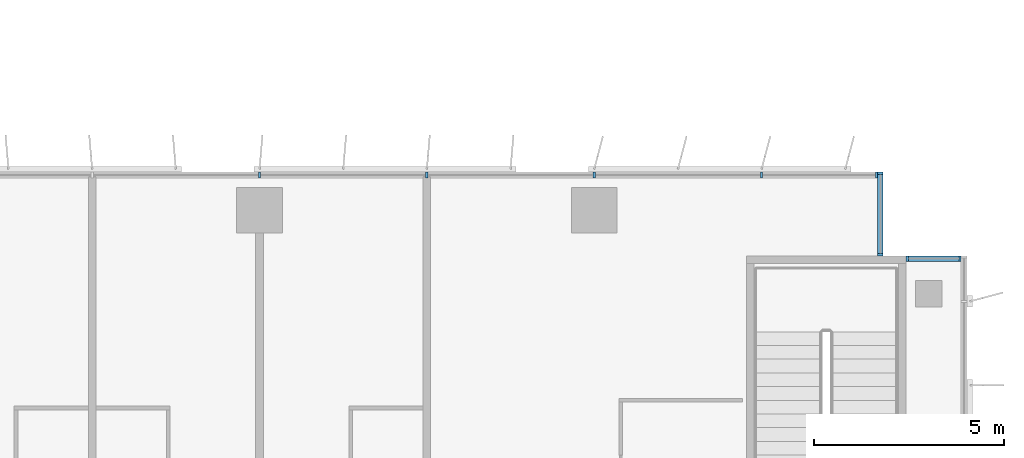
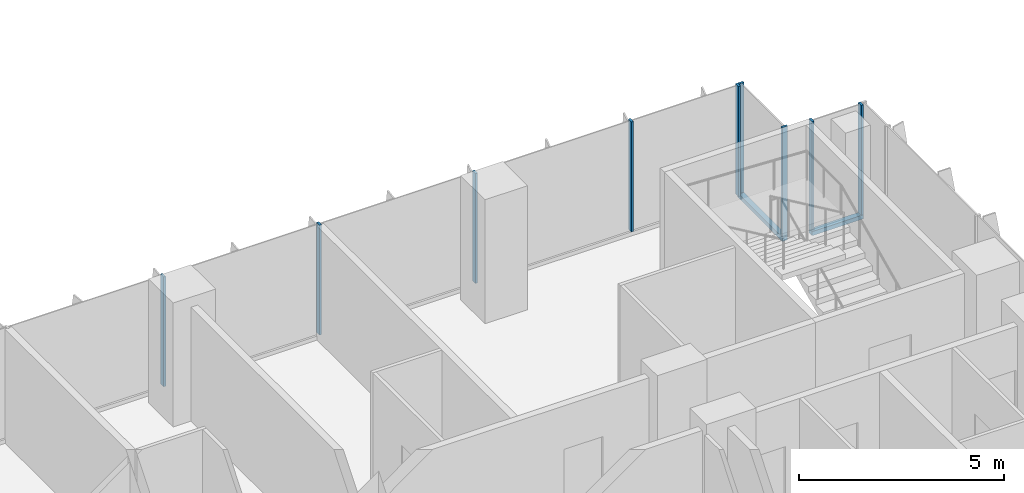
# One storey, part 4 of 23: 11 members, 3 elements without a shape of their own.
"""IFC4 building model written with IfcOpenShell, lengths in metres."""

from ifc_helpers import new_model, si_unit, direction, frame, origin, origin_2d, place, context, subcontext, project, spatial, rectangle, extrude, source, transform, mapped, material, material_profile, profile_set, type_object, element, aggregate, save


model = new_model("IFC4")

# Units and contexts
model_context = context("Model", 3, precision=1e-05, world=origin(), true_north=direction((0.0, 1.0)))
body_context = subcontext(model_context, "Body", "Model", "MODEL_VIEW")
ifc_project = project(units=[si_unit("LENGTHUNIT", "METRE"), si_unit("AREAUNIT", "SQUARE_METRE"), si_unit("VOLUMEUNIT", "CUBIC_METRE"), si_unit("PLANEANGLEUNIT", "RADIAN"), si_unit("MASSUNIT", "GRAM", prefix="KILO")], contexts=[model_context])

# Site, building, storey
site_placement = place(None, origin())
site = spatial("IfcSite", under=ifc_project, at=site_placement, CompositionType="ELEMENT")
building_placement = place(site_placement, origin())
building = spatial("IfcBuilding", under=site, at=building_placement, Name="Kemantara Hotel Tower", CompositionType="ELEMENT")
storey_placement = place(building_placement, frame((0.0, 0.0, 138.300048828125)))
storey = spatial("IfcBuildingStorey", under=building, at=storey_placement, Name="L33", CompositionType="ELEMENT", Elevation=138.300048828125)

# Curtain wall, member
ifc_material_1 = material(Name="Low-E tinted double insulated glass 36 mm", Category="glass")
curtain_wall_type = type_object("IfcCurtainWallType", Name="TOWER CURTAIN WALL, FRONT FACES", PredefinedType="USERDEFINED", material=ifc_material_1)
curtain_wall_1_placement = place(storey_placement, origin())
curtain_wall_1 = element("IfcCurtainWall", 1, at=curtain_wall_1_placement, inside=storey, type_object=curtain_wall_type, Name="CW4 L33 T2-R11-1", ObjectType="TOWER CURTAIN WALL, FRONT FACES", PredefinedType="USERDEFINED")
ifc_material_2 = material(Name="Aluminium 6063-T6 bronze anodised", Category="aluminium")
ifc_material_profile_1 = material_profile(ifc_material_2, rectangle(XDim=0.14990234375, YDim=0.1201171875, at=origin_2d()), Name="TOWER CURTAIN WALL, FRONT FACES TRANSOM")
ifc_profile_set_1 = profile_set([ifc_material_profile_1], Name="Aluminium 6063-T6 bronze anodised")
member_type_1 = type_object("IfcMemberType", Name="TOWER CURTAIN WALL, FRONT FACES TRANSOM", PredefinedType="USERDEFINED", material=ifc_profile_set_1)
member_1_placement = place(storey_placement, frame((63.449951171875, 19.72509765625, 0.06005859375), z_axis=(-1.0, 0.0, 0.0), x_axis=(0.0, -1.0, 0.0)))
member_1 = element("IfcMember", 2, at=member_1_placement, type_object=member_type_1, Name="CW4 sill transom T2-R11-1", ObjectType="TRANSOM", PredefinedType="USERDEFINED", context=body_context, shape_type="SweptSolid", body=[
    extrude(rectangle(XDim=0.14990234375, YDim=0.1201171875, at=origin_2d()), origin(), (0.0, 0.0, 1.0), 1.449951171875),
])

curtain_wall_2_placement = place(storey_placement, origin())
curtain_wall_2 = element("IfcCurtainWall", 3, at=curtain_wall_2_placement, inside=storey, type_object=curtain_wall_type, Name="CW4 L33 T2-R12-1", ObjectType="TOWER CURTAIN WALL, FRONT FACES", PredefinedType="USERDEFINED")
member_2_placement = place(storey_placement, frame((61.324951171875, 19.800048828125, 0.06005859375), z_axis=(0.0, 1.0, 0.0), x_axis=(-1.0, 0.0, 0.0)))
member_2 = element("IfcMember", 4, at=member_2_placement, type_object=member_type_1, Name="CW4 sill transom T2-R12-1", ObjectType="TRANSOM", PredefinedType="USERDEFINED", context=body_context, shape_type="SweptSolid", body=[
    extrude(rectangle(XDim=0.14990234375, YDim=0.1201171875, at=origin_2d()), origin(), (0.0, 0.0, 1.0), 2.199951171875),
])

# Curtain wall, members
curtain_wall_3_placement = place(storey_placement, origin())
curtain_wall_3 = element("IfcCurtainWall", 5, at=curtain_wall_3_placement, inside=storey, type_object=curtain_wall_type, Name="CW4 L33 T2-R13-1", ObjectType="TOWER CURTAIN WALL, FRONT FACES", PredefinedType="USERDEFINED")
ifc_material_profile_2 = material_profile(ifc_material_2, rectangle(XDim=0.14990234375, YDim=0.06005859375, at=origin_2d()), Name="TOWER CURTAIN WALL, FRONT FACES MULLION")
ifc_profile_set_2 = profile_set([ifc_material_profile_2], Name="Aluminium 6063-T6 bronze anodised")
member_type_2 = type_object("IfcMemberType", Name="TOWER CURTAIN WALL, FRONT FACES MULLION", PredefinedType="MULLION", material=ifc_profile_set_2)
shared_shape = source(origin(), body_context, "Body", "SweptSolid", [
    extrude(rectangle(XDim=0.14990234375, YDim=0.06005859375, at=origin_2d()), origin(), (0.0, 0.0, 1.0), 3.280029296875),
])
member_3_placement = place(storey_placement, frame((61.219970703125, 21.925048828125, 0.119873046875), z_axis=(0.0, 0.0, 1.0), x_axis=(0.0, -1.0, 0.0)))
member_3 = element("IfcMember", 6, at=member_3_placement, type_object=member_type_2, Name="CW4 mullion T2-R13-1.1", PredefinedType="MULLION", context=body_context, shape_type="MappedRepresentation", body=[
    mapped(shared_shape, transform((0.0, 0.0, 0.0))),
])
member_4_placement = place(storey_placement, frame((58.199951171875, 21.925048828125, 0.119873046875), z_axis=(0.0, 0.0, 1.0), x_axis=(0.0, -1.0, 0.0)))
member_4 = element("IfcMember", 7, at=member_4_placement, type_object=member_type_2, Name="CW4 mullion T2-R13-1.2", PredefinedType="MULLION", context=body_context, shape_type="MappedRepresentation", body=[
    mapped(shared_shape, transform((0.0, 0.0, 0.0))),
])
member_5_placement = place(storey_placement, frame((53.800048828125, 21.925048828125, 0.119873046875), z_axis=(0.0, 0.0, 1.0), x_axis=(0.0, -1.0, 0.0)))
member_5 = element("IfcMember", 8, at=member_5_placement, type_object=member_type_2, Name="CW4 mullion T2-R13-1.3", PredefinedType="MULLION", context=body_context, shape_type="MappedRepresentation", body=[
    mapped(shared_shape, transform((0.0, 0.0, 0.0))),
])
member_6_placement = place(storey_placement, frame((49.39990234375, 21.925048828125, 0.119873046875), z_axis=(0.0, 0.0, 1.0), x_axis=(0.0, -1.0, 0.0)))
member_6 = element("IfcMember", 9, at=member_6_placement, type_object=member_type_2, Name="CW4 mullion T2-R13-1.4", PredefinedType="MULLION", context=body_context, shape_type="MappedRepresentation", body=[
    mapped(shared_shape, transform((0.0, 0.0, 0.0))),
])
member_7_placement = place(storey_placement, frame((45.0, 21.925048828125, 0.119873046875), z_axis=(0.0, 0.0, 1.0), x_axis=(0.0, -1.0, 0.0)))
member_7 = element("IfcMember", 10, at=member_7_placement, type_object=member_type_2, Name="CW4 mullion T2-R13-1.5", PredefinedType="MULLION", context=body_context, shape_type="MappedRepresentation", body=[
    mapped(shared_shape, transform((0.0, 0.0, 0.0))),
])
aggregate(curtain_wall_3, [member_3, member_4, member_5, member_6, member_7])

# Member
member_8_placement = place(storey_placement, frame((63.419921875, 19.72509765625, 0.119873046875), z_axis=(0.0, 0.0, 1.0), x_axis=(0.0, -1.0, 0.0)))
member_8 = element("IfcMember", 11, at=member_8_placement, type_object=member_type_2, Name="CW4 mullion T2-R11-1.1", PredefinedType="MULLION", context=body_context, shape_type="MappedRepresentation", body=[
    mapped(shared_shape, transform((0.0, 0.0, 0.0))),
])

member_9_placement = place(storey_placement, frame((62.030029296875, 19.72509765625, 0.119873046875), z_axis=(0.0, 0.0, 1.0), x_axis=(0.0, -1.0, 0.0)))
member_9 = element("IfcMember", 12, at=member_9_placement, type_object=member_type_2, Name="CW4 mullion T2-R11-1.2", PredefinedType="MULLION", context=body_context, shape_type="MappedRepresentation", body=[
    mapped(shared_shape, transform((0.0, 0.0, 0.0))),
])

aggregate(curtain_wall_1, [member_1, member_8, member_9])

member_10_placement = place(storey_placement, frame((61.324951171875, 19.830078125, 0.119873046875), z_axis=(0.0, 0.0, 1.0), x_axis=(-1.0, 0.0, 0.0)))
member_10 = element("IfcMember", 13, at=member_10_placement, type_object=member_type_2, Name="CW4 mullion T2-R12-1.1", PredefinedType="MULLION", context=body_context, shape_type="MappedRepresentation", body=[
    mapped(shared_shape, transform((0.0, 0.0, 0.0))),
])

member_11_placement = place(storey_placement, frame((61.324951171875, 21.969970703125, 0.119873046875), z_axis=(0.0, 0.0, 1.0), x_axis=(-1.0, 0.0, 0.0)))
member_11 = element("IfcMember", 14, at=member_11_placement, type_object=member_type_2, Name="CW4 mullion T2-R12-1.2", PredefinedType="MULLION", context=body_context, shape_type="MappedRepresentation", body=[
    mapped(shared_shape, transform((0.0, 0.0, 0.0))),
])

aggregate(curtain_wall_2, [member_2, member_10, member_11])

save(model, "model.ifc")
